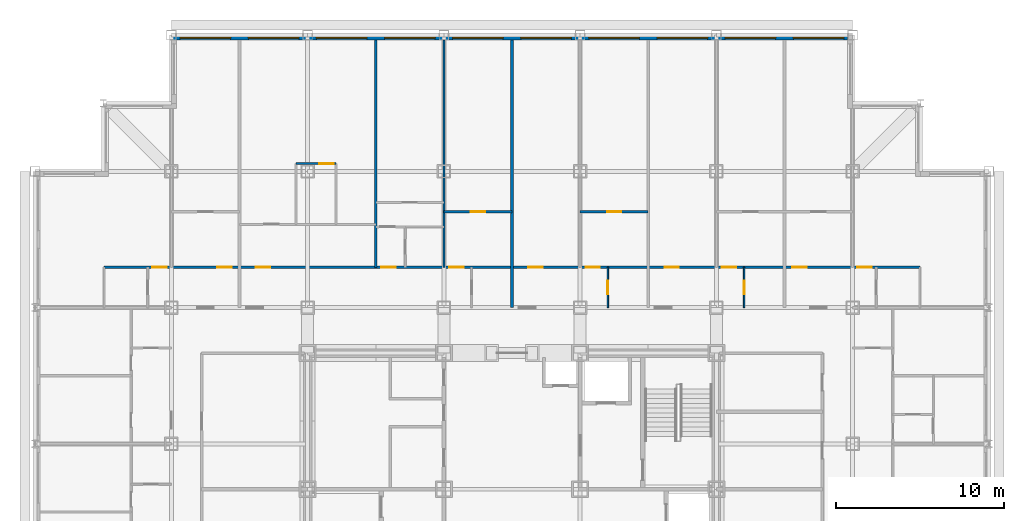
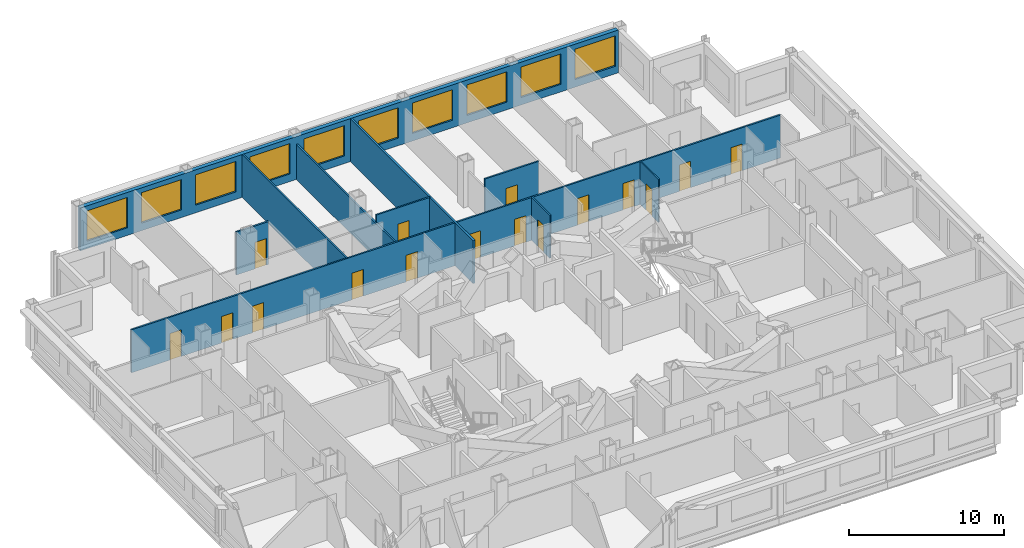
# One storey, part 10 of 12: 16 doors, 10 walls, 10 windows, 26 openings.
"""IFC4 building model written with IfcOpenShell, lengths in metres."""

from ifc_helpers import new_model, si_unit, direction, frame, frame_2d, origin, place, context, subcontext, project, spatial, rectangle, extrude, material, layer, layer_set, type_object, element, fill, save


model = new_model("IFC4")

# Units and contexts
model_context = context("Model", 3, precision=1e-05, world=origin(), true_north=direction((0.0, 1.0)))
body_context = subcontext(model_context, "Body", "Model", "MODEL_VIEW")
ifc_project = project(units=[si_unit("LENGTHUNIT", "METRE"), si_unit("AREAUNIT", "SQUARE_METRE"), si_unit("VOLUMEUNIT", "CUBIC_METRE"), si_unit("PLANEANGLEUNIT", "RADIAN"), si_unit("MASSUNIT", "GRAM", prefix="KILO")], contexts=[model_context])

# Site, building, storey
site_placement = place(None, origin())
site = spatial("IfcSite", under=ifc_project, at=site_placement, CompositionType="ELEMENT")
building_placement = place(site_placement, origin())
building = spatial("IfcBuilding", under=site, at=building_placement, Name="Kopane Lantern Tower", CompositionType="ELEMENT")
storey_placement = place(building_placement, frame((0.0, 0.0, 192.0)))
storey = spatial("IfcBuildingStorey", under=building, at=storey_placement, Name="L49", CompositionType="ELEMENT", Elevation=192.0)

# Walls
ifc_material_1 = material(Name="Gypsum board on steel studs", Category="steel")
ifc_layer_1 = layer(ifc_material_1, 0.1201171875)
ifc_layer_set_1 = layer_set([ifc_layer_1], Name="APARTMENT INTERNAL WALL 120")
wall_type_1 = type_object("IfcWallType", Name="APARTMENT INTERNAL WALL 120", PredefinedType="PARTITIONING", material=ifc_layer_set_1)
wall_1_placement = place(storey_placement, frame((20.25, 45.60009765625, 0.0), z_axis=(0.0, 0.0, 1.0), x_axis=(0.0, 1.0, 0.0)))
element("IfcWall", 1, at=wall_1_placement, inside=storey, type_object=wall_type_1, Name="Apartment Internal Wall 120 L49", PredefinedType="PARTITIONING", context=body_context, shape_type="SweptSolid", body=[
    extrude(rectangle(XDim=13.5, YDim=0.1201171875, at=frame_2d((6.75, 0.0))), origin(), (0.0, 0.0, 1.0), 3.389892578125),
])
wall_2_placement = place(storey_placement, frame((24.300048828125, 45.60009765625, 0.0), z_axis=(0.0, 0.0, 1.0), x_axis=(0.0, 1.0, 0.0)))
element("IfcWall", 2, at=wall_2_placement, inside=storey, type_object=wall_type_1, Name="Apartment Internal Wall 120 L49", PredefinedType="PARTITIONING", context=body_context, shape_type="SweptSolid", body=[
    extrude(rectangle(XDim=13.5, YDim=0.1201171875, at=frame_2d((6.75, 0.0))), origin(), (0.0, 0.0, 1.0), 2.77783203125),
])

# Wall, openings, doors
wall_3_placement = place(storey_placement, frame((4.10009765625, 45.60009765625, 0.0), z_axis=(0.0, 0.0, 1.0), x_axis=(1.0, 0.0, 0.0)))
wall_3 = element("IfcWall", 3, at=wall_3_placement, inside=storey, type_object=wall_type_1, Name="Apartment Internal Wall 120 L49", PredefinedType="PARTITIONING", context=body_context, shape_type="SweptSolid", body=[
    extrude(rectangle(XDim=48.5, YDim=0.1201171875, at=frame_2d((24.25, 0.0))), origin(), (0.0, 0.0, 1.0), 3.389892578125),
])
opening_1_placement = place(wall_3_placement, frame((9.02490234375, 0.0, 0.0)))
opening_1 = element("IfcOpeningElement", 4, at=opening_1_placement, cuts=wall_3, Name="Opening L49-028", PredefinedType="OPENING", context=body_context, shape_type="SweptSolid", body=[
    extrude(rectangle(XDim=0.85009765625, YDim=2.10009765625, at=frame_2d((0.425048828125, 1.050048828125))), frame((0.0, 0.070068359375, 0.0), z_axis=(0.0, -1.0, 0.0), x_axis=(1.0, 0.0, 0.0)), (0.0, 0.0, 1.0), 0.14013671875),
])
opening_2_placement = place(wall_3_placement, frame((16.47509765625, 0.0, 0.0)))
opening_2 = element("IfcOpeningElement", 5, at=opening_2_placement, cuts=wall_3, Name="Opening L49-030", PredefinedType="OPENING", context=body_context, shape_type="SweptSolid", body=[
    extrude(rectangle(XDim=0.85009765625, YDim=2.10009765625, at=frame_2d((0.425048828125, 1.050048828125))), frame((0.0, 0.070068359375, 0.0), z_axis=(0.0, -1.0, 0.0), x_axis=(1.0, 0.0, 0.0)), (0.0, 0.0, 1.0), 0.14013671875),
])
opening_3_placement = place(wall_3_placement, frame((20.52490234375, 0.0, 0.0)))
opening_3 = element("IfcOpeningElement", 6, at=opening_3_placement, cuts=wall_3, Name="Opening L49-031", PredefinedType="OPENING", context=body_context, shape_type="SweptSolid", body=[
    extrude(rectangle(XDim=0.85009765625, YDim=2.10009765625, at=frame_2d((0.425048828125, 1.050048828125))), frame((0.0, 0.070068359375, 0.0), z_axis=(0.0, -1.0, 0.0), x_axis=(1.0, 0.0, 0.0)), (0.0, 0.0, 1.0), 0.14013671875),
])
opening_4_placement = place(wall_3_placement, frame((25.22509765625, 0.0, 0.0)))
opening_4 = element("IfcOpeningElement", 7, at=opening_4_placement, cuts=wall_3, Name="Opening L49-034", PredefinedType="OPENING", context=body_context, shape_type="SweptSolid", body=[
    extrude(rectangle(XDim=0.85009765625, YDim=2.10009765625, at=frame_2d((0.425048828125, 1.050048828125))), frame((0.0, 0.070068359375, 0.0), z_axis=(0.0, -1.0, 0.0), x_axis=(1.0, 0.0, 0.0)), (0.0, 0.0, 1.0), 0.14013671875),
])
opening_5_placement = place(wall_3_placement, frame((28.625, 0.0, 0.0)))
opening_5 = element("IfcOpeningElement", 8, at=opening_5_placement, cuts=wall_3, Name="Opening L49-035", PredefinedType="OPENING", context=body_context, shape_type="SweptSolid", body=[
    extrude(rectangle(XDim=0.85009765625, YDim=2.10009765625, at=frame_2d((0.425048828125, 1.050048828125))), frame((0.0, 0.070068359375, 0.0), z_axis=(0.0, -1.0, 0.0), x_axis=(1.0, 0.0, 0.0)), (0.0, 0.0, 1.0), 0.14013671875),
])
opening_6_placement = place(wall_3_placement, frame((33.324951171875, 0.0, 0.0)))
opening_6 = element("IfcOpeningElement", 9, at=opening_6_placement, cuts=wall_3, Name="Opening L49-038", PredefinedType="OPENING", context=body_context, shape_type="SweptSolid", body=[
    extrude(rectangle(XDim=0.85009765625, YDim=2.10009765625, at=frame_2d((0.425048828125, 1.050048828125))), frame((0.0, 0.070068359375, 0.0), z_axis=(0.0, -1.0, 0.0), x_axis=(1.0, 0.0, 0.0)), (0.0, 0.0, 1.0), 0.14013671875),
])
opening_7_placement = place(wall_3_placement, frame((36.72509765625, 0.0, 0.0)))
opening_7 = element("IfcOpeningElement", 10, at=opening_7_placement, cuts=wall_3, Name="Opening L49-039", PredefinedType="OPENING", context=body_context, shape_type="SweptSolid", body=[
    extrude(rectangle(XDim=0.85009765625, YDim=2.10009765625, at=frame_2d((0.425048828125, 1.050048828125))), frame((0.0, 0.070068359375, 0.0), z_axis=(0.0, -1.0, 0.0), x_axis=(1.0, 0.0, 0.0)), (0.0, 0.0, 1.0), 0.14013671875),
])
opening_8_placement = place(wall_3_placement, frame((40.925048828125, 0.0, 0.0)))
opening_8 = element("IfcOpeningElement", 11, at=opening_8_placement, cuts=wall_3, Name="Opening L49-069", PredefinedType="OPENING", context=body_context, shape_type="SweptSolid", body=[
    extrude(rectangle(XDim=0.85009765625, YDim=2.10009765625, at=frame_2d((0.425048828125, 1.050048828125))), frame((0.0, 0.070068359375, 0.0), z_axis=(0.0, -1.0, 0.0), x_axis=(1.0, 0.0, 0.0)), (0.0, 0.0, 1.0), 0.14013671875),
])
opening_9_placement = place(wall_3_placement, frame((44.77490234375, 0.0, 0.0)))
opening_9 = element("IfcOpeningElement", 12, at=opening_9_placement, cuts=wall_3, Name="Opening L49-071", PredefinedType="OPENING", context=body_context, shape_type="SweptSolid", body=[
    extrude(rectangle(XDim=0.85009765625, YDim=2.10009765625, at=frame_2d((0.425048828125, 1.050048828125))), frame((0.0, 0.070068359375, 0.0), z_axis=(0.0, -1.0, 0.0), x_axis=(1.0, 0.0, 0.0)), (0.0, 0.0, 1.0), 0.14013671875),
])
opening_10_placement = place(wall_3_placement, frame((6.72509765625, 0.0, 0.0)))
opening_10 = element("IfcOpeningElement", 13, at=opening_10_placement, cuts=wall_3, Name="Opening L49-073", PredefinedType="OPENING", context=body_context, shape_type="SweptSolid", body=[
    extrude(rectangle(XDim=0.85009765625, YDim=2.10009765625, at=frame_2d((0.425048828125, 1.050048828125))), frame((0.0, 0.070068359375, 0.0), z_axis=(0.0, -1.0, 0.0), x_axis=(1.0, 0.0, 0.0)), (0.0, 0.0, 1.0), 0.14013671875),
])
opening_11_placement = place(wall_3_placement, frame((2.875, 0.0, 0.0)))
opening_11 = element("IfcOpeningElement", 14, at=opening_11_placement, cuts=wall_3, Name="Opening L49-075", PredefinedType="OPENING", context=body_context, shape_type="SweptSolid", body=[
    extrude(rectangle(XDim=0.85009765625, YDim=2.10009765625, at=frame_2d((0.425048828125, 1.050048828125))), frame((0.0, 0.070068359375, 0.0), z_axis=(0.0, -1.0, 0.0), x_axis=(1.0, 0.0, 0.0)), (0.0, 0.0, 1.0), 0.14013671875),
])
ifc_material_2 = material(Name="Timber door set", Category="wood")
door_type_1 = type_object("IfcDoorType", Name="DOOR D4 850x2100", OperationType="SINGLE_SWING_LEFT", PredefinedType="DOOR", material=ifc_material_2)
door_1_placement = place(opening_1_placement, origin())
door_1 = element("IfcDoor", 15, at=door_1_placement, inside=storey, type_object=door_type_1, Name="Door L49-028", OperationType="SINGLE_SWING_LEFT", OverallHeight=2.10009765625, OverallWidth=0.85009765625, PredefinedType="DOOR", context=body_context, shape_type="SweptSolid", body=[
    extrude(rectangle(XDim=0.85009765625, YDim=2.10009765625, at=frame_2d((0.425048828125, 1.050048828125))), frame((0.0, 0.02490234375, 0.0), z_axis=(0.0, -1.0, 0.0), x_axis=(1.0, 0.0, 0.0)), (0.0, 0.0, 1.0), 0.050048828125),
])
fill(opening_1, door_1)
door_2_placement = place(opening_2_placement, origin())
door_2 = element("IfcDoor", 16, at=door_2_placement, inside=storey, type_object=door_type_1, Name="Door L49-030", OperationType="SINGLE_SWING_LEFT", OverallHeight=2.10009765625, OverallWidth=0.85009765625, PredefinedType="DOOR", context=body_context, shape_type="SweptSolid", body=[
    extrude(rectangle(XDim=0.85009765625, YDim=2.10009765625, at=frame_2d((0.425048828125, 1.050048828125))), frame((0.0, 0.02490234375, 0.0), z_axis=(0.0, -1.0, 0.0), x_axis=(1.0, 0.0, 0.0)), (0.0, 0.0, 1.0), 0.050048828125),
])
fill(opening_2, door_2)
door_3_placement = place(opening_3_placement, origin())
door_3 = element("IfcDoor", 17, at=door_3_placement, inside=storey, type_object=door_type_1, Name="Door L49-031", OperationType="SINGLE_SWING_LEFT", OverallHeight=2.10009765625, OverallWidth=0.85009765625, PredefinedType="DOOR", context=body_context, shape_type="SweptSolid", body=[
    extrude(rectangle(XDim=0.85009765625, YDim=2.10009765625, at=frame_2d((0.425048828125, 1.050048828125))), frame((0.0, 0.02490234375, 0.0), z_axis=(0.0, -1.0, 0.0), x_axis=(1.0, 0.0, 0.0)), (0.0, 0.0, 1.0), 0.050048828125),
])
fill(opening_3, door_3)
door_4_placement = place(opening_4_placement, origin())
door_4 = element("IfcDoor", 18, at=door_4_placement, inside=storey, type_object=door_type_1, Name="Door L49-034", OperationType="SINGLE_SWING_RIGHT", OverallHeight=2.10009765625, OverallWidth=0.85009765625, PredefinedType="DOOR", context=body_context, shape_type="SweptSolid", body=[
    extrude(rectangle(XDim=0.85009765625, YDim=2.10009765625, at=frame_2d((0.425048828125, 1.050048828125))), frame((0.0, 0.02490234375, 0.0), z_axis=(0.0, -1.0, 0.0), x_axis=(1.0, 0.0, 0.0)), (0.0, 0.0, 1.0), 0.050048828125),
])
fill(opening_4, door_4)
door_5_placement = place(opening_5_placement, origin())
door_5 = element("IfcDoor", 19, at=door_5_placement, inside=storey, type_object=door_type_1, Name="Door L49-035", OperationType="SINGLE_SWING_LEFT", OverallHeight=2.10009765625, OverallWidth=0.85009765625, PredefinedType="DOOR", context=body_context, shape_type="SweptSolid", body=[
    extrude(rectangle(XDim=0.85009765625, YDim=2.10009765625, at=frame_2d((0.425048828125, 1.050048828125))), frame((0.0, 0.02490234375, 0.0), z_axis=(0.0, -1.0, 0.0), x_axis=(1.0, 0.0, 0.0)), (0.0, 0.0, 1.0), 0.050048828125),
])
fill(opening_5, door_5)
door_6_placement = place(opening_6_placement, origin())
door_6 = element("IfcDoor", 20, at=door_6_placement, inside=storey, type_object=door_type_1, Name="Door L49-038", OperationType="SINGLE_SWING_RIGHT", OverallHeight=2.10009765625, OverallWidth=0.85009765625, PredefinedType="DOOR", context=body_context, shape_type="SweptSolid", body=[
    extrude(rectangle(XDim=0.85009765625, YDim=2.10009765625, at=frame_2d((0.425048828125, 1.050048828125))), frame((0.0, 0.02490234375, 0.0), z_axis=(0.0, -1.0, 0.0), x_axis=(1.0, 0.0, 0.0)), (0.0, 0.0, 1.0), 0.050048828125),
])
fill(opening_6, door_6)
door_7_placement = place(opening_7_placement, origin())
door_7 = element("IfcDoor", 21, at=door_7_placement, inside=storey, type_object=door_type_1, Name="Door L49-039", OperationType="SINGLE_SWING_LEFT", OverallHeight=2.10009765625, OverallWidth=0.85009765625, PredefinedType="DOOR", context=body_context, shape_type="SweptSolid", body=[
    extrude(rectangle(XDim=0.85009765625, YDim=2.10009765625, at=frame_2d((0.425048828125, 1.050048828125))), frame((0.0, 0.02490234375, 0.0), z_axis=(0.0, -1.0, 0.0), x_axis=(1.0, 0.0, 0.0)), (0.0, 0.0, 1.0), 0.050048828125),
])
fill(opening_7, door_7)
door_8_placement = place(opening_8_placement, origin())
door_8 = element("IfcDoor", 22, at=door_8_placement, inside=storey, type_object=door_type_1, Name="Door L49-069", OperationType="SINGLE_SWING_RIGHT", OverallHeight=2.10009765625, OverallWidth=0.85009765625, PredefinedType="DOOR", context=body_context, shape_type="SweptSolid", body=[
    extrude(rectangle(XDim=0.85009765625, YDim=2.10009765625, at=frame_2d((0.425048828125, 1.050048828125))), frame((0.0, 0.02490234375, 0.0), z_axis=(0.0, -1.0, 0.0), x_axis=(1.0, 0.0, 0.0)), (0.0, 0.0, 1.0), 0.050048828125),
])
fill(opening_8, door_8)
door_9_placement = place(opening_9_placement, origin())
door_9 = element("IfcDoor", 23, at=door_9_placement, inside=storey, type_object=door_type_1, Name="Door L49-071", OperationType="SINGLE_SWING_LEFT", OverallHeight=2.10009765625, OverallWidth=0.85009765625, PredefinedType="DOOR", context=body_context, shape_type="SweptSolid", body=[
    extrude(rectangle(XDim=0.85009765625, YDim=2.10009765625, at=frame_2d((0.425048828125, 1.050048828125))), frame((0.0, 0.02490234375, 0.0), z_axis=(0.0, -1.0, 0.0), x_axis=(1.0, 0.0, 0.0)), (0.0, 0.0, 1.0), 0.050048828125),
])
fill(opening_9, door_9)
door_10_placement = place(opening_10_placement, origin())
door_10 = element("IfcDoor", 24, at=door_10_placement, inside=storey, type_object=door_type_1, Name="Door L49-073", OperationType="SINGLE_SWING_LEFT", OverallHeight=2.10009765625, OverallWidth=0.85009765625, PredefinedType="DOOR", context=body_context, shape_type="SweptSolid", body=[
    extrude(rectangle(XDim=0.85009765625, YDim=2.10009765625, at=frame_2d((0.425048828125, 1.050048828125))), frame((0.0, 0.02490234375, 0.0), z_axis=(0.0, -1.0, 0.0), x_axis=(1.0, 0.0, 0.0)), (0.0, 0.0, 1.0), 0.050048828125),
])
fill(opening_10, door_10)
door_11_placement = place(opening_11_placement, origin())
door_11 = element("IfcDoor", 25, at=door_11_placement, inside=storey, type_object=door_type_1, Name="Door L49-075", OperationType="SINGLE_SWING_RIGHT", OverallHeight=2.10009765625, OverallWidth=0.85009765625, PredefinedType="DOOR", context=body_context, shape_type="SweptSolid", body=[
    extrude(rectangle(XDim=0.85009765625, YDim=2.10009765625, at=frame_2d((0.425048828125, 1.050048828125))), frame((0.0, 0.02490234375, 0.0), z_axis=(0.0, -1.0, 0.0), x_axis=(1.0, 0.0, 0.0)), (0.0, 0.0, 1.0), 0.050048828125),
])
fill(opening_11, door_11)

# Wall, opening, door
wall_4_placement = place(storey_placement, frame((24.300048828125, 48.89990234375, 0.0), z_axis=(0.0, 0.0, 1.0), x_axis=(1.0, 0.0, 0.0)))
wall_4 = element("IfcWall", 26, at=wall_4_placement, inside=storey, type_object=wall_type_1, Name="Apartment Internal Wall 120 L49", PredefinedType="PARTITIONING", context=body_context, shape_type="SweptSolid", body=[
    extrude(rectangle(XDim=4.050048828125, YDim=0.1201171875, at=frame_2d((2.02490234375, 0.0))), origin(), (0.0, 0.0, 1.0), 3.389892578125),
])
opening_12_placement = place(wall_4_placement, frame((1.60009765625, 0.0, 0.0)))
opening_12 = element("IfcOpeningElement", 27, at=opening_12_placement, cuts=wall_4, Name="Opening L49-080", PredefinedType="OPENING", context=body_context, shape_type="SweptSolid", body=[
    extrude(rectangle(XDim=0.85009765625, YDim=2.10009765625, at=frame_2d((0.425048828125, 1.050048828125))), frame((0.0, 0.070068359375, 0.0), z_axis=(0.0, -1.0, 0.0), x_axis=(1.0, 0.0, 0.0)), (0.0, 0.0, 1.0), 0.14013671875),
])
door_12_placement = place(opening_12_placement, origin())
door_12 = element("IfcDoor", 28, at=door_12_placement, inside=storey, type_object=door_type_1, Name="Door L49-080", OperationType="SINGLE_SWING_RIGHT", OverallHeight=2.10009765625, OverallWidth=0.85009765625, PredefinedType="DOOR", context=body_context, shape_type="SweptSolid", body=[
    extrude(rectangle(XDim=0.85009765625, YDim=2.10009765625, at=frame_2d((0.425048828125, 1.050048828125))), frame((0.0, 0.02490234375, 0.0), z_axis=(0.0, -1.0, 0.0), x_axis=(1.0, 0.0, 0.0)), (0.0, 0.0, 1.0), 0.050048828125),
])
fill(opening_12, door_12)

wall_5_placement = place(storey_placement, frame((32.39990234375, 48.89990234375, 0.0), z_axis=(0.0, 0.0, 1.0), x_axis=(1.0, 0.0, 0.0)))
wall_5 = element("IfcWall", 29, at=wall_5_placement, inside=storey, type_object=wall_type_1, Name="Apartment Internal Wall 120 L49", PredefinedType="PARTITIONING", context=body_context, shape_type="SweptSolid", body=[
    extrude(rectangle(XDim=4.050048828125, YDim=0.1201171875, at=frame_2d((2.02490234375, 0.0))), origin(), (0.0, 0.0, 1.0), 3.389892578125),
])
opening_13_placement = place(wall_5_placement, frame((1.60009765625, 0.0, 0.0)))
opening_13 = element("IfcOpeningElement", 30, at=opening_13_placement, cuts=wall_5, Name="Opening L49-081", PredefinedType="OPENING", context=body_context, shape_type="SweptSolid", body=[
    extrude(rectangle(XDim=0.85009765625, YDim=2.10009765625, at=frame_2d((0.425048828125, 1.050048828125))), frame((0.0, 0.070068359375, 0.0), z_axis=(0.0, -1.0, 0.0), x_axis=(1.0, 0.0, 0.0)), (0.0, 0.0, 1.0), 0.14013671875),
])
door_13_placement = place(opening_13_placement, origin())
door_13 = element("IfcDoor", 31, at=door_13_placement, inside=storey, type_object=door_type_1, Name="Door L49-081", OperationType="SINGLE_SWING_RIGHT", OverallHeight=2.10009765625, OverallWidth=0.85009765625, PredefinedType="DOOR", context=body_context, shape_type="SweptSolid", body=[
    extrude(rectangle(XDim=0.85009765625, YDim=2.10009765625, at=frame_2d((0.425048828125, 1.050048828125))), frame((0.0, 0.02490234375, 0.0), z_axis=(0.0, -1.0, 0.0), x_axis=(1.0, 0.0, 0.0)), (0.0, 0.0, 1.0), 0.050048828125),
])
fill(opening_13, door_13)

wall_6_placement = place(storey_placement, frame((15.5, 51.760009765625, 0.0), z_axis=(0.0, 0.0, 1.0), x_axis=(1.0, 0.0, 0.0)))
wall_6 = element("IfcWall", 32, at=wall_6_placement, inside=storey, type_object=wall_type_1, Name="Apartment Internal Wall 120 L49", PredefinedType="PARTITIONING", context=body_context, shape_type="SweptSolid", body=[
    extrude(rectangle(XDim=2.39990234375, YDim=0.1201171875, at=frame_2d((1.199951171875, 0.0))), origin(), (0.0, 0.0, 1.0), 3.389892578125),
])
opening_14_placement = place(wall_6_placement, frame((1.389892578125, 0.0, 0.0)))
opening_14 = element("IfcOpeningElement", 33, at=opening_14_placement, cuts=wall_6, Name="Opening L49-085", PredefinedType="OPENING", context=body_context, shape_type="SweptSolid", body=[
    extrude(rectangle(XDim=0.85009765625, YDim=2.10009765625, at=frame_2d((0.425048828125, 1.050048828125))), frame((0.0, 0.070068359375, 0.0), z_axis=(0.0, -1.0, 0.0), x_axis=(1.0, 0.0, 0.0)), (0.0, 0.0, 1.0), 0.14013671875),
])
door_14_placement = place(opening_14_placement, origin())
door_14 = element("IfcDoor", 34, at=door_14_placement, inside=storey, type_object=door_type_1, Name="Door L49-085", OperationType="SINGLE_SWING_LEFT", OverallHeight=2.10009765625, OverallWidth=0.85009765625, PredefinedType="DOOR", context=body_context, shape_type="SweptSolid", body=[
    extrude(rectangle(XDim=0.85009765625, YDim=2.10009765625, at=frame_2d((0.425048828125, 1.050048828125))), frame((0.0, 0.02490234375, 0.0), z_axis=(0.0, -1.0, 0.0), x_axis=(1.0, 0.0, 0.0)), (0.0, 0.0, 1.0), 0.050048828125),
])
fill(opening_14, door_14)

ifc_material_3 = material(Name="Moisture-resistant board on steel studs", Category="steel")
ifc_layer_2 = layer(ifc_material_3, 0.10009765625)
ifc_layer_set_2 = layer_set([ifc_layer_2], Name="BATHROOM WALL 100")
wall_type_2 = type_object("IfcWallType", Name="BATHROOM WALL 100", PredefinedType="PARTITIONING", material=ifc_layer_set_2)
wall_7_placement = place(storey_placement, frame((34.050048828125, 43.199951171875, 0.0), z_axis=(0.0, 0.0, 1.0), x_axis=(0.0, 1.0, 0.0)))
wall_7 = element("IfcWall", 35, at=wall_7_placement, inside=storey, type_object=wall_type_2, Name="Bathroom Wall 100 L49", PredefinedType="PARTITIONING", context=body_context, shape_type="SweptSolid", body=[
    extrude(rectangle(XDim=2.400146484375, YDim=0.10009765625, at=frame_2d((1.2001953125, 0.0))), origin(), (0.0, 0.0, 1.0), 3.389892578125),
])
opening_15_placement = place(wall_7_placement, frame((0.800048828125, 0.0, 0.0)))
opening_15 = element("IfcOpeningElement", 36, at=opening_15_placement, cuts=wall_7, Name="Opening L49-032", PredefinedType="OPENING", context=body_context, shape_type="SweptSolid", body=[
    extrude(rectangle(XDim=0.800048828125, YDim=2.10009765625, at=frame_2d((0.39990234375, 1.050048828125))), frame((0.0, 0.06005859375, 0.0), z_axis=(0.0, -1.0, 0.0), x_axis=(1.0, 0.0, 0.0)), (0.0, 0.0, 1.0), 0.1201171875),
])
ifc_material_4 = material(Name="Timber door set", Category="wood")
door_type_2 = type_object("IfcDoorType", Name="DOOR D2 800x2100", OperationType="SINGLE_SWING_LEFT", PredefinedType="DOOR", material=ifc_material_4)
door_15_placement = place(opening_15_placement, origin())
door_15 = element("IfcDoor", 37, at=door_15_placement, inside=storey, type_object=door_type_2, Name="Door L49-032", OperationType="SINGLE_SWING_RIGHT", OverallHeight=2.10009765625, OverallWidth=0.800048828125, PredefinedType="DOOR", context=body_context, shape_type="SweptSolid", body=[
    extrude(rectangle(XDim=0.800048828125, YDim=2.10009765625, at=frame_2d((0.39990234375, 1.050048828125))), frame((0.0, 0.02490234375, 0.0), z_axis=(0.0, -1.0, 0.0), x_axis=(1.0, 0.0, 0.0)), (0.0, 0.0, 1.0), 0.050048828125),
])
fill(opening_15, door_15)

wall_8_placement = place(storey_placement, frame((42.14990234375, 43.199951171875, 0.0), z_axis=(0.0, 0.0, 1.0), x_axis=(0.0, 1.0, 0.0)))
wall_8 = element("IfcWall", 38, at=wall_8_placement, inside=storey, type_object=wall_type_2, Name="Bathroom Wall 100 L49", PredefinedType="PARTITIONING", context=body_context, shape_type="SweptSolid", body=[
    extrude(rectangle(XDim=2.400146484375, YDim=0.10009765625, at=frame_2d((1.2001953125, 0.0))), origin(), (0.0, 0.0, 1.0), 3.389892578125),
])
opening_16_placement = place(wall_8_placement, frame((0.800048828125, 0.0, 0.0)))
opening_16 = element("IfcOpeningElement", 39, at=opening_16_placement, cuts=wall_8, Name="Opening L49-036", PredefinedType="OPENING", context=body_context, shape_type="SweptSolid", body=[
    extrude(rectangle(XDim=0.800048828125, YDim=2.10009765625, at=frame_2d((0.39990234375, 1.050048828125))), frame((0.0, 0.06005859375, 0.0), z_axis=(0.0, -1.0, 0.0), x_axis=(1.0, 0.0, 0.0)), (0.0, 0.0, 1.0), 0.1201171875),
])
door_16_placement = place(opening_16_placement, origin())
door_16 = element("IfcDoor", 40, at=door_16_placement, inside=storey, type_object=door_type_2, Name="Door L49-036", OperationType="SINGLE_SWING_RIGHT", OverallHeight=2.10009765625, OverallWidth=0.800048828125, PredefinedType="DOOR", context=body_context, shape_type="SweptSolid", body=[
    extrude(rectangle(XDim=0.800048828125, YDim=2.10009765625, at=frame_2d((0.39990234375, 1.050048828125))), frame((0.0, 0.02490234375, 0.0), z_axis=(0.0, -1.0, 0.0), x_axis=(1.0, 0.0, 0.0)), (0.0, 0.0, 1.0), 0.050048828125),
])
fill(opening_16, door_16)

# Wall
ifc_material_5 = material(Name="Gypsum board on steel studs", Category="steel")
ifc_layer_3 = layer(ifc_material_5, 0.14990234375)
ifc_layer_set_3 = layer_set([ifc_layer_3], Name="DEMISING WALL 150 EI 60")
wall_type_3 = type_object("IfcWallType", Name="DEMISING WALL 150 EI 60", PredefinedType="PARTITIONING", material=ifc_layer_set_3)
wall_9_placement = place(storey_placement, frame((28.35009765625, 43.199951171875, 0.0), z_axis=(0.0, 0.0, 1.0), x_axis=(0.0, 1.0, 0.0)))
element("IfcWall", 41, at=wall_9_placement, inside=storey, type_object=wall_type_3, Name="Demising Wall 150 Ei 60 L49", PredefinedType="PARTITIONING", context=body_context, shape_type="SweptSolid", body=[
    extrude(rectangle(XDim=15.900146484375, YDim=0.14990234375, at=frame_2d((7.9501953125, 0.0))), origin(), (0.0, 0.0, 1.0), 3.389892578125),
])

# Wall, openings, windows
ifc_material_6 = material(Name="Terracotta rainscreen on light steel framing", Category="masonry")
ifc_layer_4 = layer(ifc_material_6, 0.300048828125)
ifc_layer_set_4 = layer_set([ifc_layer_4], Name="EXTERNAL WALL EW1 300 TERRACOTTA")
wall_type_4 = type_object("IfcWallType", Name="EXTERNAL WALL EW1 300 TERRACOTTA", PredefinedType="SOLIDWALL", material=ifc_layer_set_4)
wall_10_placement = place(storey_placement, frame((48.300048828125, 59.25, 0.0), z_axis=(0.0, 0.0, 1.0), x_axis=(-1.0, 0.0, 0.0)))
wall_10 = element("IfcWall", 42, at=wall_10_placement, inside=storey, type_object=wall_type_4, Name="External wall N L49", PredefinedType="SOLIDWALL", context=body_context, shape_type="SweptSolid", body=[
    extrude(rectangle(XDim=40.199951171875, YDim=0.300048828125, at=frame_2d((20.10009765625, 0.0))), origin(), (0.0, 0.0, 1.0), 3.389892578125),
])
opening_17_placement = place(wall_10_placement, frame((0.22509765625, 0.0, 0.60009765625)))
opening_17 = element("IfcOpeningElement", 43, at=opening_17_placement, cuts=wall_10, Name="Opening WR300240", PredefinedType="OPENING", context=body_context, shape_type="SweptSolid", body=[
    extrude(rectangle(XDim=3.0, YDim=2.39990234375, at=frame_2d((1.5, 1.199951171875))), frame((0.0, 0.159912109375, 0.0), z_axis=(0.0, -1.0, 0.0), x_axis=(1.0, 0.0, 0.0)), (0.0, 0.0, 1.0), 0.320068359375),
])
opening_18_placement = place(wall_10_placement, frame((4.27490234375, 0.0, 0.60009765625)))
opening_18 = element("IfcOpeningElement", 44, at=opening_18_placement, cuts=wall_10, Name="Opening WR300240", PredefinedType="OPENING", context=body_context, shape_type="SweptSolid", body=[
    extrude(rectangle(XDim=3.0, YDim=2.39990234375, at=frame_2d((1.5, 1.199951171875))), frame((0.0, 0.159912109375, 0.0), z_axis=(0.0, -1.0, 0.0), x_axis=(1.0, 0.0, 0.0)), (0.0, 0.0, 1.0), 0.320068359375),
])
opening_19_placement = place(wall_10_placement, frame((8.324951171875, 0.0, 0.60009765625)))
opening_19 = element("IfcOpeningElement", 45, at=opening_19_placement, cuts=wall_10, Name="Opening WR300240", PredefinedType="OPENING", context=body_context, shape_type="SweptSolid", body=[
    extrude(rectangle(XDim=3.0, YDim=2.39990234375, at=frame_2d((1.5, 1.199951171875))), frame((0.0, 0.159912109375, 0.0), z_axis=(0.0, -1.0, 0.0), x_axis=(1.0, 0.0, 0.0)), (0.0, 0.0, 1.0), 0.320068359375),
])
opening_20_placement = place(wall_10_placement, frame((12.375, 0.0, 0.60009765625)))
opening_20 = element("IfcOpeningElement", 46, at=opening_20_placement, cuts=wall_10, Name="Opening WR300240", PredefinedType="OPENING", context=body_context, shape_type="SweptSolid", body=[
    extrude(rectangle(XDim=3.0, YDim=2.39990234375, at=frame_2d((1.5, 1.199951171875))), frame((0.0, 0.159912109375, 0.0), z_axis=(0.0, -1.0, 0.0), x_axis=(1.0, 0.0, 0.0)), (0.0, 0.0, 1.0), 0.320068359375),
])
opening_21_placement = place(wall_10_placement, frame((16.425048828125, 0.0, 0.60009765625)))
opening_21 = element("IfcOpeningElement", 47, at=opening_21_placement, cuts=wall_10, Name="Opening WR300240", PredefinedType="OPENING", context=body_context, shape_type="SweptSolid", body=[
    extrude(rectangle(XDim=3.0, YDim=2.39990234375, at=frame_2d((1.5, 1.199951171875))), frame((0.0, 0.159912109375, 0.0), z_axis=(0.0, -1.0, 0.0), x_axis=(1.0, 0.0, 0.0)), (0.0, 0.0, 1.0), 0.320068359375),
])
opening_22_placement = place(wall_10_placement, frame((20.47509765625, 0.0, 0.60009765625)))
opening_22 = element("IfcOpeningElement", 48, at=opening_22_placement, cuts=wall_10, Name="Opening WR300240", PredefinedType="OPENING", context=body_context, shape_type="SweptSolid", body=[
    extrude(rectangle(XDim=3.0, YDim=2.39990234375, at=frame_2d((1.5, 1.199951171875))), frame((0.0, 0.159912109375, 0.0), z_axis=(0.0, -1.0, 0.0), x_axis=(1.0, 0.0, 0.0)), (0.0, 0.0, 1.0), 0.320068359375),
])
opening_23_placement = place(wall_10_placement, frame((24.52490234375, 0.0, 0.60009765625)))
opening_23 = element("IfcOpeningElement", 49, at=opening_23_placement, cuts=wall_10, Name="Opening WR300240", PredefinedType="OPENING", context=body_context, shape_type="SweptSolid", body=[
    extrude(rectangle(XDim=3.0, YDim=2.39990234375, at=frame_2d((1.5, 1.199951171875))), frame((0.0, 0.159912109375, 0.0), z_axis=(0.0, -1.0, 0.0), x_axis=(1.0, 0.0, 0.0)), (0.0, 0.0, 1.0), 0.320068359375),
])
opening_24_placement = place(wall_10_placement, frame((28.574951171875, 0.0, 0.60009765625)))
opening_24 = element("IfcOpeningElement", 50, at=opening_24_placement, cuts=wall_10, Name="Opening WR300240", PredefinedType="OPENING", context=body_context, shape_type="SweptSolid", body=[
    extrude(rectangle(XDim=3.0, YDim=2.39990234375, at=frame_2d((1.5, 1.199951171875))), frame((0.0, 0.159912109375, 0.0), z_axis=(0.0, -1.0, 0.0), x_axis=(1.0, 0.0, 0.0)), (0.0, 0.0, 1.0), 0.320068359375),
])
opening_25_placement = place(wall_10_placement, frame((32.625, 0.0, 0.60009765625)))
opening_25 = element("IfcOpeningElement", 51, at=opening_25_placement, cuts=wall_10, Name="Opening WR300240", PredefinedType="OPENING", context=body_context, shape_type="SweptSolid", body=[
    extrude(rectangle(XDim=3.0, YDim=2.39990234375, at=frame_2d((1.5, 1.199951171875))), frame((0.0, 0.159912109375, 0.0), z_axis=(0.0, -1.0, 0.0), x_axis=(1.0, 0.0, 0.0)), (0.0, 0.0, 1.0), 0.320068359375),
])
opening_26_placement = place(wall_10_placement, frame((36.675048828125, 0.0, 0.60009765625)))
opening_26 = element("IfcOpeningElement", 52, at=opening_26_placement, cuts=wall_10, Name="Opening WR300240", PredefinedType="OPENING", context=body_context, shape_type="SweptSolid", body=[
    extrude(rectangle(XDim=3.0, YDim=2.39990234375, at=frame_2d((1.5, 1.199951171875))), frame((0.0, 0.159912109375, 0.0), z_axis=(0.0, -1.0, 0.0), x_axis=(1.0, 0.0, 0.0)), (0.0, 0.0, 1.0), 0.320068359375),
])
ifc_material_7 = material(Name="Aluminium and clear glass", Category="aluminium")
window_type = type_object("IfcWindowType", Name="RIBBON WINDOW WR300240 3000x2400", PartitioningType="SINGLE_PANEL", PredefinedType="WINDOW", material=ifc_material_7)
window_1_placement = place(opening_17_placement, origin())
window_1 = element("IfcWindow", 53, at=window_1_placement, inside=storey, type_object=window_type, Name="Window N L49", OverallHeight=2.39990234375, OverallWidth=3.0, PartitioningType="SINGLE_PANEL", PredefinedType="WINDOW", context=body_context, shape_type="SweptSolid", body=[
    extrude(rectangle(XDim=3.0, YDim=2.39990234375, at=frame_2d((1.5, 1.199951171875))), frame((0.0, 0.030029296875, 0.0), z_axis=(0.0, -1.0, 0.0), x_axis=(1.0, 0.0, 0.0)), (0.0, 0.0, 1.0), 0.06005859375),
])
fill(opening_17, window_1)
window_2_placement = place(opening_18_placement, origin())
window_2 = element("IfcWindow", 54, at=window_2_placement, inside=storey, type_object=window_type, Name="Window N L49", OverallHeight=2.39990234375, OverallWidth=3.0, PartitioningType="SINGLE_PANEL", PredefinedType="WINDOW", context=body_context, shape_type="SweptSolid", body=[
    extrude(rectangle(XDim=3.0, YDim=2.39990234375, at=frame_2d((1.5, 1.199951171875))), frame((0.0, 0.030029296875, 0.0), z_axis=(0.0, -1.0, 0.0), x_axis=(1.0, 0.0, 0.0)), (0.0, 0.0, 1.0), 0.06005859375),
])
fill(opening_18, window_2)
window_3_placement = place(opening_19_placement, origin())
window_3 = element("IfcWindow", 55, at=window_3_placement, inside=storey, type_object=window_type, Name="Window N L49", OverallHeight=2.39990234375, OverallWidth=3.0, PartitioningType="SINGLE_PANEL", PredefinedType="WINDOW", context=body_context, shape_type="SweptSolid", body=[
    extrude(rectangle(XDim=3.0, YDim=2.39990234375, at=frame_2d((1.5, 1.199951171875))), frame((0.0, 0.030029296875, 0.0), z_axis=(0.0, -1.0, 0.0), x_axis=(1.0, 0.0, 0.0)), (0.0, 0.0, 1.0), 0.06005859375),
])
fill(opening_19, window_3)
window_4_placement = place(opening_20_placement, origin())
window_4 = element("IfcWindow", 56, at=window_4_placement, inside=storey, type_object=window_type, Name="Window N L49", OverallHeight=2.39990234375, OverallWidth=3.0, PartitioningType="SINGLE_PANEL", PredefinedType="WINDOW", context=body_context, shape_type="SweptSolid", body=[
    extrude(rectangle(XDim=3.0, YDim=2.39990234375, at=frame_2d((1.5, 1.199951171875))), frame((0.0, 0.030029296875, 0.0), z_axis=(0.0, -1.0, 0.0), x_axis=(1.0, 0.0, 0.0)), (0.0, 0.0, 1.0), 0.06005859375),
])
fill(opening_20, window_4)
window_5_placement = place(opening_21_placement, origin())
window_5 = element("IfcWindow", 57, at=window_5_placement, inside=storey, type_object=window_type, Name="Window N L49", OverallHeight=2.39990234375, OverallWidth=3.0, PartitioningType="SINGLE_PANEL", PredefinedType="WINDOW", context=body_context, shape_type="SweptSolid", body=[
    extrude(rectangle(XDim=3.0, YDim=2.39990234375, at=frame_2d((1.5, 1.199951171875))), frame((0.0, 0.030029296875, 0.0), z_axis=(0.0, -1.0, 0.0), x_axis=(1.0, 0.0, 0.0)), (0.0, 0.0, 1.0), 0.06005859375),
])
fill(opening_21, window_5)
window_6_placement = place(opening_22_placement, origin())
window_6 = element("IfcWindow", 58, at=window_6_placement, inside=storey, type_object=window_type, Name="Window N L49", OverallHeight=2.39990234375, OverallWidth=3.0, PartitioningType="SINGLE_PANEL", PredefinedType="WINDOW", context=body_context, shape_type="SweptSolid", body=[
    extrude(rectangle(XDim=3.0, YDim=2.39990234375, at=frame_2d((1.5, 1.199951171875))), frame((0.0, 0.030029296875, 0.0), z_axis=(0.0, -1.0, 0.0), x_axis=(1.0, 0.0, 0.0)), (0.0, 0.0, 1.0), 0.06005859375),
])
fill(opening_22, window_6)
window_7_placement = place(opening_23_placement, origin())
window_7 = element("IfcWindow", 59, at=window_7_placement, inside=storey, type_object=window_type, Name="Window N L49", OverallHeight=2.39990234375, OverallWidth=3.0, PartitioningType="SINGLE_PANEL", PredefinedType="WINDOW", context=body_context, shape_type="SweptSolid", body=[
    extrude(rectangle(XDim=3.0, YDim=2.39990234375, at=frame_2d((1.5, 1.199951171875))), frame((0.0, 0.030029296875, 0.0), z_axis=(0.0, -1.0, 0.0), x_axis=(1.0, 0.0, 0.0)), (0.0, 0.0, 1.0), 0.06005859375),
])
fill(opening_23, window_7)
window_8_placement = place(opening_24_placement, origin())
window_8 = element("IfcWindow", 60, at=window_8_placement, inside=storey, type_object=window_type, Name="Window N L49", OverallHeight=2.39990234375, OverallWidth=3.0, PartitioningType="SINGLE_PANEL", PredefinedType="WINDOW", context=body_context, shape_type="SweptSolid", body=[
    extrude(rectangle(XDim=3.0, YDim=2.39990234375, at=frame_2d((1.5, 1.199951171875))), frame((0.0, 0.030029296875, 0.0), z_axis=(0.0, -1.0, 0.0), x_axis=(1.0, 0.0, 0.0)), (0.0, 0.0, 1.0), 0.06005859375),
])
fill(opening_24, window_8)
window_9_placement = place(opening_25_placement, origin())
window_9 = element("IfcWindow", 61, at=window_9_placement, inside=storey, type_object=window_type, Name="Window N L49", OverallHeight=2.39990234375, OverallWidth=3.0, PartitioningType="SINGLE_PANEL", PredefinedType="WINDOW", context=body_context, shape_type="SweptSolid", body=[
    extrude(rectangle(XDim=3.0, YDim=2.39990234375, at=frame_2d((1.5, 1.199951171875))), frame((0.0, 0.030029296875, 0.0), z_axis=(0.0, -1.0, 0.0), x_axis=(1.0, 0.0, 0.0)), (0.0, 0.0, 1.0), 0.06005859375),
])
fill(opening_25, window_9)
window_10_placement = place(opening_26_placement, origin())
window_10 = element("IfcWindow", 62, at=window_10_placement, inside=storey, type_object=window_type, Name="Window N L49", OverallHeight=2.39990234375, OverallWidth=3.0, PartitioningType="SINGLE_PANEL", PredefinedType="WINDOW", context=body_context, shape_type="SweptSolid", body=[
    extrude(rectangle(XDim=3.0, YDim=2.39990234375, at=frame_2d((1.5, 1.199951171875))), frame((0.0, 0.030029296875, 0.0), z_axis=(0.0, -1.0, 0.0), x_axis=(1.0, 0.0, 0.0)), (0.0, 0.0, 1.0), 0.06005859375),
])
fill(opening_26, window_10)

save(model, "model.ifc")
